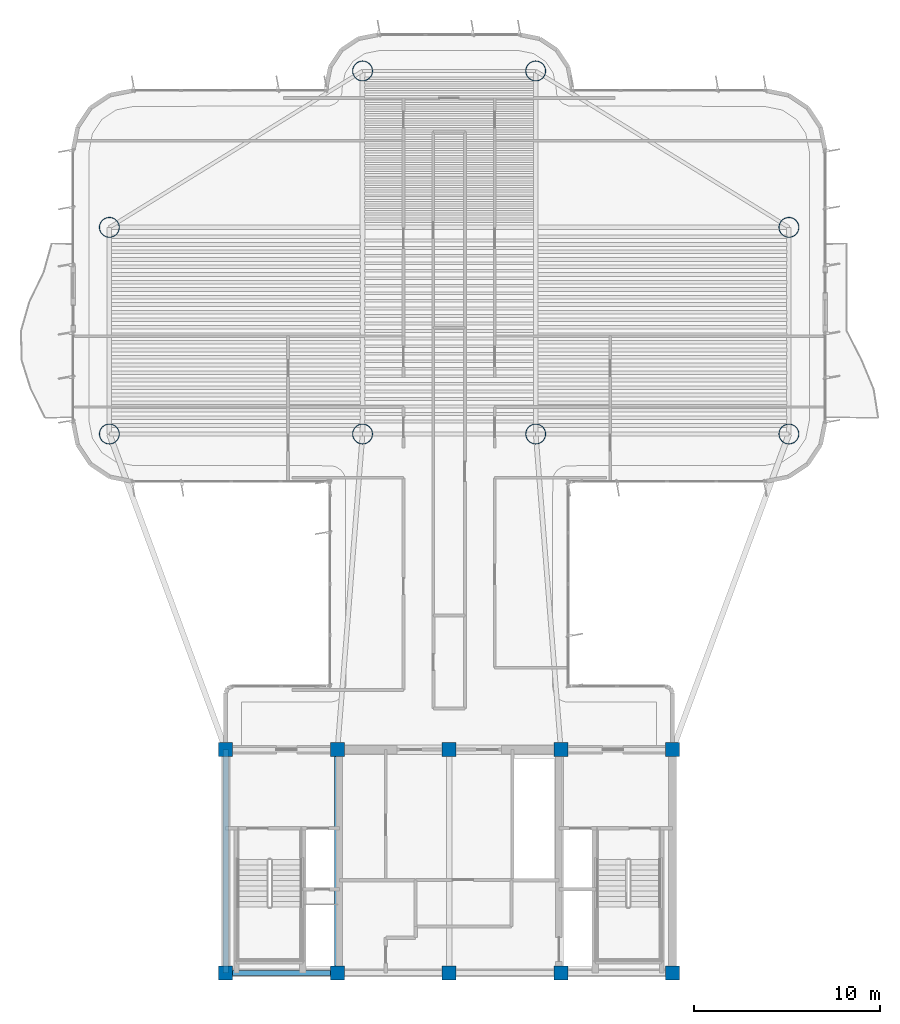
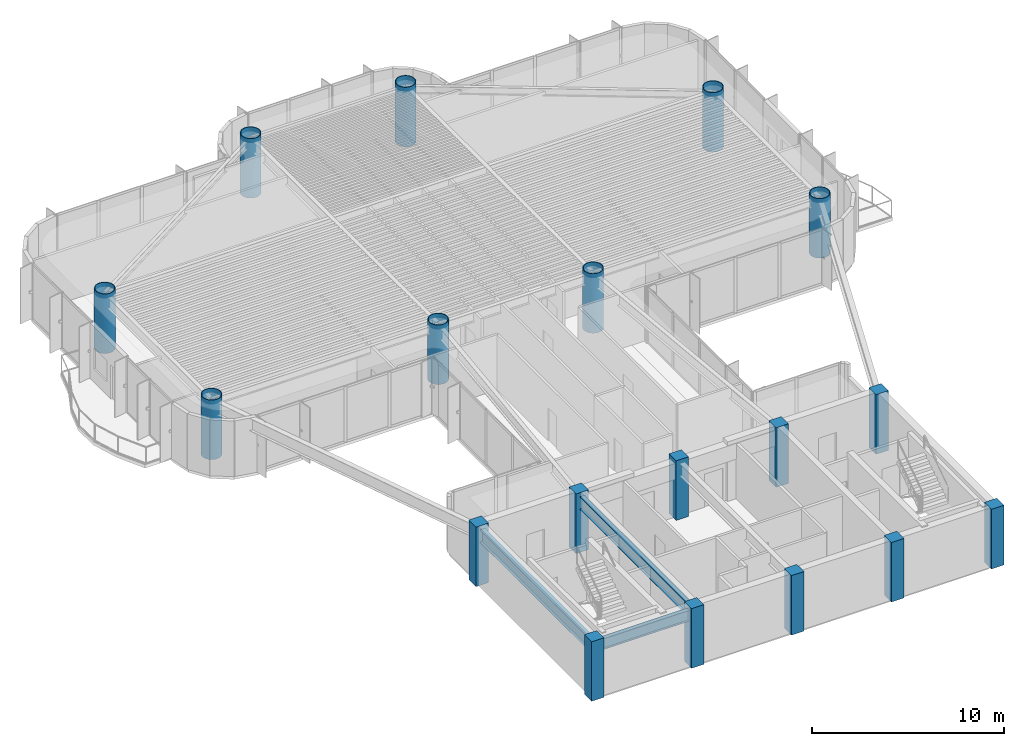
# One storey, part 1 of 14: 18 columns, 3 beams.
"""IFC4 building model written with IfcOpenShell, lengths in metres."""

from ifc_helpers import new_model, si_unit, direction, frame, origin, origin_2d, place, context, subcontext, project, spatial, rectangle, hollow_circle, i_section, extrude, source, transform, mapped, material, material_profile, profile_set, type_object, element, save


model = new_model("IFC4")

# Units and contexts
model_context = context("Model", 3, precision=1e-05, world=origin(), true_north=direction((0.0, 1.0)))
body_context = subcontext(model_context, "Body", "Model", "MODEL_VIEW")
ifc_project = project(units=[si_unit("LENGTHUNIT", "METRE"), si_unit("AREAUNIT", "SQUARE_METRE"), si_unit("VOLUMEUNIT", "CUBIC_METRE"), si_unit("PLANEANGLEUNIT", "RADIAN"), si_unit("MASSUNIT", "GRAM", prefix="KILO")], contexts=[model_context])

# Site, building, storey
site_placement = place(None, origin())
site = spatial("IfcSite", under=ifc_project, at=site_placement, CompositionType="ELEMENT")
building_placement = place(site_placement, origin())
building = spatial("IfcBuilding", under=site, at=building_placement, Name="Brelvock Crest Care Tower", CompositionType="ELEMENT")
storey_placement = place(building_placement, frame((0.0, 0.0, 175.320068359375)))
storey = spatial("IfcBuildingStorey", under=building, at=storey_placement, Name="L44", CompositionType="ELEMENT", Elevation=175.320068359375)

# Columns
ifc_material_1 = material(Name="Concrete S65 (65 MPa)", Category="concrete")
ifc_material_profile_1 = material_profile(ifc_material_1, rectangle(XDim=0.75, YDim=0.75, at=origin_2d()), Name="RC750x750")
ifc_profile_set_1 = profile_set([ifc_material_profile_1], Name="Concrete S65 (65 MPa)")
column_type_1 = type_object("IfcColumnType", Name="COL-RC3", PredefinedType="COLUMN", material=ifc_profile_set_1)
shared_shape_1 = source(origin(), body_context, "Body", "SweptSolid", [
    extrude(rectangle(XDim=0.75, YDim=0.75, at=origin_2d()), origin(), (0.0, 0.0, 1.0), 3.780029296875),
])
for number, where, z_axis, x_axis, name in (
    (1, (24.0, 6.0, 0.0), (0.0, 0.0, 1.0), (1.0, 0.0, 0.0), "L44 Core Column CC-01"),
    (2, (30.0, 6.0, 0.0), (0.0, 0.0, 1.0), (1.0, 0.0, 0.0), "L44 Core Column CC-02"),
    (3, (36.0, 6.0, 0.0), (0.0, 0.0, 1.0), (1.0, 0.0, 0.0), "L44 Core Column CC-03"),
    (4, (42.0, 6.0, 0.0), (0.0, 0.0, 1.0), (1.0, 0.0, 0.0), "L44 Core Column CC-04"),
    (5, (48.0, 6.0, 0.0), (0.0, 0.0, 1.0), (1.0, 0.0, 0.0), "L44 Core Column CC-05"),
    (6, (24.0, 18.0, 0.0), (0.0, 0.0, 1.0), (1.0, 0.0, 0.0), "L44 Core Column CC-06"),
    (7, (30.0, 18.0, 0.0), (0.0, 0.0, 1.0), (1.0, 0.0, 0.0), "L44 Core Column CC-07"),
    (8, (36.0, 18.0, 0.0), (0.0, 0.0, 1.0), (1.0, 0.0, 0.0), "L44 Core Column CC-08"),
    (9, (42.0, 18.0, 0.0), (0.0, 0.0, 1.0), (1.0, 0.0, 0.0), "L44 Core Column CC-09"),
    (10, (48.0, 18.0, 0.0), (0.0, 0.0, 1.0), (1.0, 0.0, 0.0), "L44 Core Column CC-10"),
):
    element("IfcColumn", number, at=place(storey_placement, frame(where, z_axis=z_axis, x_axis=x_axis)), inside=storey, type_object=column_type_1, Name=name, PredefinedType="COLUMN", context=body_context, shape_type="MappedRepresentation", body=[
        mapped(shared_shape_1, transform((0.0, 0.0, 0.0), x_axis=(1.0, 0.0, 0.0), y_axis=(0.0, 1.0, 0.0), z_axis=(0.0, 0.0, 1.0), scale=1.0)),
    ])
ifc_material_2 = material(Name="Steel Grade 350", Category="steel")
ifc_material_profile_2 = material_profile(ifc_material_2, hollow_circle(Radius=0.550048828125, WallThickness=0.0400390625, at=origin_2d()), Name="CFT1100x40")
ifc_profile_set_2 = profile_set([ifc_material_profile_2], Name="Steel Grade 350")
column_type_2 = type_object("IfcColumnType", Name="COL-MC3", PredefinedType="COLUMN", material=ifc_profile_set_2)
shared_shape_2 = source(origin(), body_context, "Body", "SweptSolid", [
    extrude(hollow_circle(Radius=0.550048828125, WallThickness=0.0400390625, at=origin_2d()), origin(), (0.0, 0.0, 1.0), 3.780029296875),
])
for number, where, z_axis, x_axis, name in (
    (11, (17.75, 34.949951171875, 0.0), (0.0, 0.0, 1.0), (1.0, 0.0, 0.0), "L44 Tower Column M1"),
    (12, (17.75, 46.050048828125, 0.0), (0.0, 0.0, 1.0), (1.0, 0.0, 0.0), "L44 Tower Column M2"),
    (13, (54.25, 34.949951171875, 0.0), (0.0, 0.0, 1.0), (1.0, 0.0, 0.0), "L44 Tower Column M3"),
    (14, (54.25, 46.050048828125, 0.0), (0.0, 0.0, 1.0), (1.0, 0.0, 0.0), "L44 Tower Column M4"),
    (15, (31.35009765625, 34.949951171875, 0.0), (0.0, 0.0, 1.0), (1.0, 0.0, 0.0), "L44 Tower Column M5"),
    (16, (40.64990234375, 34.949951171875, 0.0), (0.0, 0.0, 1.0), (1.0, 0.0, 0.0), "L44 Tower Column M6"),
    (17, (31.35009765625, 54.449951171875, 0.0), (0.0, 0.0, 1.0), (1.0, 0.0, 0.0), "L44 Tower Column M7"),
    (18, (40.64990234375, 54.449951171875, 0.0), (0.0, 0.0, 1.0), (1.0, 0.0, 0.0), "L44 Tower Column M8"),
):
    element("IfcColumn", number, at=place(storey_placement, frame(where, z_axis=z_axis, x_axis=x_axis)), inside=storey, type_object=column_type_2, Name=name, PredefinedType="COLUMN", context=body_context, shape_type="MappedRepresentation", body=[
        mapped(shared_shape_2, transform((0.0, 0.0, 0.0), x_axis=(1.0, 0.0, 0.0), y_axis=(0.0, 1.0, 0.0), z_axis=(0.0, 0.0, 1.0), scale=1.0)),
    ])

# Beams
ifc_material_profile_3 = material_profile(ifc_material_2, i_section(OverallWidth=0.25, OverallDepth=0.699951171875, WebThickness=0.011962890625, FlangeThickness=0.02001953125, at=origin_2d()), Name="700WB150")
ifc_profile_set_3 = profile_set([ifc_material_profile_3], Name="Steel Grade 350")
beam_type_1 = type_object("IfcBeamType", Name="BM-G4", PredefinedType="BEAM", material=ifc_profile_set_3)
shared_shape_3 = source(origin(), body_context, "Body", "SweptSolid", [
    extrude(i_section(OverallWidth=0.25, OverallDepth=0.699951171875, WebThickness=0.011962890625, FlangeThickness=0.02001953125, at=origin_2d()), origin(), (0.0, 0.0, 1.0), 6.0),
])
beam_placement = place(storey_placement, frame((24.0, 6.0, 3.179931640625), z_axis=(1.0, 0.0, 0.0), x_axis=(0.0, 1.0, 0.0)))
element("IfcBeam", 19, at=beam_placement, inside=storey, type_object=beam_type_1, Name="BM-CORES-L44-1", PredefinedType="BEAM", context=body_context, shape_type="MappedRepresentation", body=[
    mapped(shared_shape_3, transform((0.0, 0.0, 0.0), x_axis=(1.0, 0.0, 0.0), y_axis=(0.0, 1.0, 0.0), z_axis=(0.0, 0.0, 1.0), scale=1.0)),
])
ifc_material_profile_4 = material_profile(ifc_material_2, i_section(OverallWidth=0.300048828125, OverallDepth=0.800048828125, WebThickness=0.013916015625, FlangeThickness=0.02197265625, at=origin_2d()), Name="800WB192")
ifc_profile_set_4 = profile_set([ifc_material_profile_4], Name="Steel Grade 350")
beam_type_2 = type_object("IfcBeamType", Name="BM-G5", PredefinedType="BEAM", material=ifc_profile_set_4)
shared_shape_4 = source(origin(), body_context, "Body", "SweptSolid", [
    extrude(i_section(OverallWidth=0.300048828125, OverallDepth=0.800048828125, WebThickness=0.013916015625, FlangeThickness=0.02197265625, at=origin_2d()), origin(), (0.0, 0.0, 1.0), 12.0),
])
for number, where, z_axis, x_axis, name in (
    (20, (24.0, 6.0, 3.1298828125), (0.0, 1.0, 0.0), (-1.0, 0.0, 0.0), "BM-COREX-L44-1"),
    (21, (30.0, 6.0, 3.1298828125), (0.0, 1.0, 0.0), (-1.0, 0.0, 0.0), "BM-COREX-L44-2"),
):
    element("IfcBeam", number, at=place(storey_placement, frame(where, z_axis=z_axis, x_axis=x_axis)), inside=storey, type_object=beam_type_2, Name=name, PredefinedType="BEAM", context=body_context, shape_type="MappedRepresentation", body=[
        mapped(shared_shape_4, transform((0.0, 0.0, 0.0), x_axis=(1.0, 0.0, 0.0), y_axis=(0.0, 1.0, 0.0), z_axis=(0.0, 0.0, 1.0), scale=1.0)),
    ])

save(model, "model.ifc")
